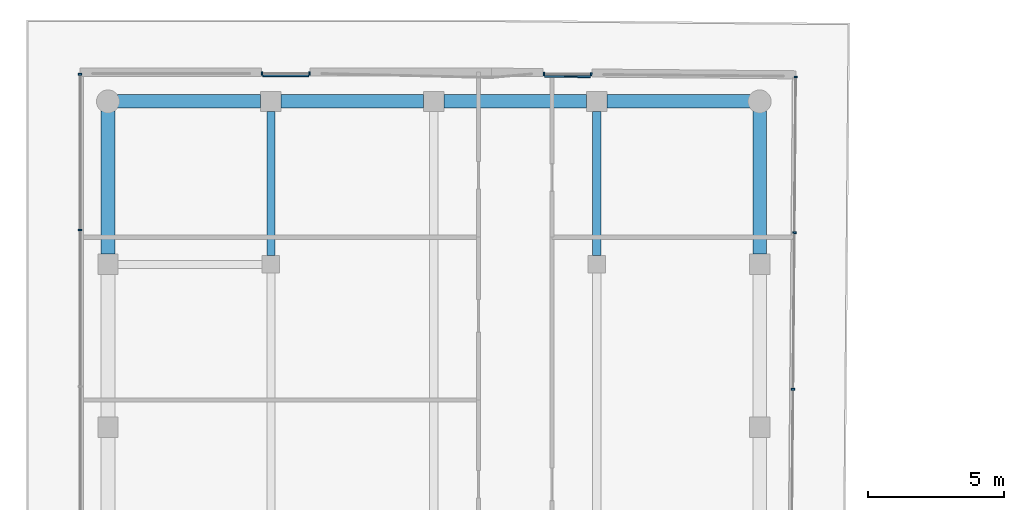
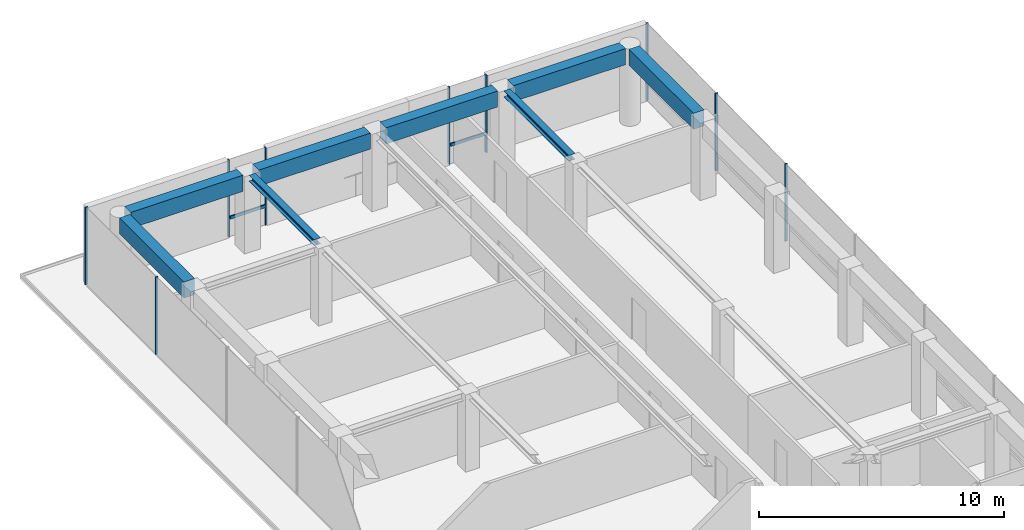
# One storey, part 12 of 18: 11 members, 8 beams, 4 elements without a shape of their own.
"""IFC4 building model written with IfcOpenShell, lengths in metres."""

from ifc_helpers import new_model, si_unit, direction, frame, origin, origin_2d, place, context, subcontext, project, spatial, rectangle, i_section, extrude, material, layer, layer_set, material_profile, profile_set, type_object, element, aggregate, save


model = new_model("IFC4")

# Units and contexts
model_context = context("Model", 3, precision=1e-05, world=origin(), true_north=direction((0.0, 1.0)))
body_context = subcontext(model_context, "Body", "Model", "MODEL_VIEW")
ifc_project = project(units=[si_unit("LENGTHUNIT", "METRE"), si_unit("AREAUNIT", "SQUARE_METRE"), si_unit("VOLUMEUNIT", "CUBIC_METRE"), si_unit("PLANEANGLEUNIT", "RADIAN"), si_unit("MASSUNIT", "GRAM", prefix="KILO")], contexts=[model_context])

# Site, building, storey
site_placement = place(None, origin())
site = spatial("IfcSite", under=ifc_project, at=site_placement, CompositionType="ELEMENT")
building_placement = place(site_placement, origin())
building = spatial("IfcBuilding", under=site, at=building_placement, Name="Welwitschia Terrace Campus", CompositionType="ELEMENT")
storey_placement = place(building_placement, frame((0.0, 0.0, 285.199951171875)))
storey = spatial("IfcBuildingStorey", under=building, at=storey_placement, Name="L63", CompositionType="ELEMENT", Elevation=285.199951171875)

# Beams
ifc_material_1 = material(Name="Steel S355", Category="steel")
ifc_material_profile_1 = material_profile(ifc_material_1, i_section(OverallWidth=0.300048828125, OverallDepth=0.300048828125, WebThickness=0.010986328125, FlangeThickness=0.01904296875, FilletRadius=0.027099609375, at=origin_2d()))
ifc_profile_set_1 = profile_set([ifc_material_profile_1], Name="Steel S355")
beam_type_1 = type_object("IfcBeamType", Name="Interior girder HE 300 B", PredefinedType="BEAM", material=ifc_profile_set_1)
for number, where, z_axis, x_axis, name in (
    (1, (6.0, 56.325439453125, 3.699951171875), (0.0, 1.0, 0.0), (-1.0, 0.0, 0.0), "Girder GB6"),
    (2, (18.0, 56.325439453125, 3.699951171875), (0.0, 1.0, 0.0), (-1.0, 0.0, 0.0), "Girder GB6"),
):
    element("IfcBeam", number, at=place(storey_placement, frame(where, z_axis=z_axis, x_axis=x_axis)), inside=storey, type_object=beam_type_1, Name=name, PredefinedType="BEAM", context=body_context, shape_type="SweptSolid", body=[
        extrude(i_section(OverallWidth=0.300048828125, OverallDepth=0.300048828125, WebThickness=0.010986328125, FlangeThickness=0.01904296875, FilletRadius=0.027099609375, at=origin_2d()), origin(), (0.0, 0.0, 1.0), 5.30908203125),
    ])

# Curtain wall, members
ifc_material_2 = material(Name="Bronze anodised aluminium", Category="aluminium")
ifc_layer = layer(ifc_material_2, 0.1201171875)
ifc_layer_set = layer_set([ifc_layer], Name="Bronze anodised aluminium")
curtain_wall_type = type_object("IfcCurtainWallType", Name="Curtain wall CW2 tower 6000", PredefinedType="NOTDEFINED", material=ifc_layer_set)
curtain_wall_1_placement = place(storey_placement, origin())
curtain_wall_1 = element("IfcCurtainWall", 3, at=curtain_wall_1_placement, inside=storey, type_object=curtain_wall_type, Name="CW L63.0.S0", PredefinedType="NOTDEFINED")
ifc_material_3 = material(Name="Bronze anodised aluminium", Category="aluminium")
ifc_material_profile_2 = material_profile(ifc_material_3, rectangle(XDim=0.1201171875, YDim=0.06005859375, at=origin_2d()))
ifc_profile_set_2 = profile_set([ifc_material_profile_2], Name="Bronze anodised aluminium")
member_type_1 = type_object("IfcMemberType", Name="Mullion 60x120", PredefinedType="MULLION", material=ifc_profile_set_2)
member_1_placement = place(storey_placement, frame((7.4169921875, 63.030029296875, 0.0), z_axis=(0.0, 0.0, 1.0), x_axis=(0.0, -1.0, 0.0)))
member_1 = element("IfcMember", 4, at=member_1_placement, type_object=member_type_1, Name="Mullion L63.0.S0.0", PredefinedType="MULLION", context=body_context, shape_type="SweptSolid", body=[
    extrude(rectangle(XDim=0.1201171875, YDim=0.06005859375, at=origin_2d()), origin(), (0.0, 0.0, 1.0), 3.85009765625),
])
member_2_placement = place(storey_placement, frame((5.677001953125, 63.030029296875, 0.0), z_axis=(0.0, 0.0, 1.0), x_axis=(0.0, -1.0, 0.0)))
member_2 = element("IfcMember", 5, at=member_2_placement, type_object=member_type_1, Name="Mullion L63.0.S0.1", PredefinedType="MULLION", context=body_context, shape_type="SweptSolid", body=[
    extrude(rectangle(XDim=0.1201171875, YDim=0.06005859375, at=origin_2d()), origin(), (0.0, 0.0, 1.0), 3.85009765625),
])

curtain_wall_2_placement = place(storey_placement, origin())
curtain_wall_2 = element("IfcCurtainWall", 6, at=curtain_wall_2_placement, inside=storey, type_object=curtain_wall_type, Name="CW L63.1.0", PredefinedType="NOTDEFINED")
member_3_placement = place(storey_placement, frame((-1.030029296875, 63.0, 0.0), z_axis=(0.0, 0.0, 1.0), x_axis=(1.0, 0.0, 0.0)))
member_3 = element("IfcMember", 7, at=member_3_placement, type_object=member_type_1, Name="Mullion L63.1.0.0", PredefinedType="MULLION", context=body_context, shape_type="SweptSolid", body=[
    extrude(rectangle(XDim=0.1201171875, YDim=0.06005859375, at=origin_2d()), origin(), (0.0, 0.0, 1.0), 3.85009765625),
])
member_4_placement = place(storey_placement, frame((-1.030029296875, 57.267333984375, 0.0), z_axis=(0.0, 0.0, 1.0), x_axis=(1.0, 0.0, 0.0)))
member_4 = element("IfcMember", 8, at=member_4_placement, type_object=member_type_1, Name="Mullion L63.1.0.1", PredefinedType="MULLION", context=body_context, shape_type="SweptSolid", body=[
    extrude(rectangle(XDim=0.1201171875, YDim=0.06005859375, at=origin_2d()), origin(), (0.0, 0.0, 1.0), 3.85009765625),
])
aggregate(curtain_wall_2, [member_3, member_4])

curtain_wall_3_placement = place(storey_placement, origin())
curtain_wall_3 = element("IfcCurtainWall", 9, at=curtain_wall_3_placement, inside=storey, type_object=curtain_wall_type, Name="CW L63.10.0", PredefinedType="NOTDEFINED")
member_5_placement = place(storey_placement, frame((25.231201171875, 51.4013671875, 0.0), z_axis=(0.0, 0.0, 1.0), x_axis=(-0.999961923064, 0.008726535498, 0.0)))
member_5 = element("IfcMember", 10, at=member_5_placement, type_object=member_type_1, Name="Mullion L63.10.0.4", PredefinedType="MULLION", context=body_context, shape_type="SweptSolid", body=[
    extrude(rectangle(XDim=0.1201171875, YDim=0.06005859375, at=origin_2d()), origin(), (0.0, 0.0, 1.0), 3.85009765625),
])
member_6_placement = place(storey_placement, frame((25.281494140625, 57.166748046875, 0.0), z_axis=(0.0, 0.0, 1.0), x_axis=(-0.999961923064, 0.008726535498, 0.0)))
member_6 = element("IfcMember", 11, at=member_6_placement, type_object=member_type_1, Name="Mullion L63.10.0.5", PredefinedType="MULLION", context=body_context, shape_type="SweptSolid", body=[
    extrude(rectangle(XDim=0.1201171875, YDim=0.06005859375, at=origin_2d()), origin(), (0.0, 0.0, 1.0), 3.85009765625),
])
member_7_placement = place(storey_placement, frame((25.33154296875, 62.902099609375, 0.0), z_axis=(0.0, 0.0, 1.0), x_axis=(-0.999961923064, 0.008726535498, 0.0)))
member_7 = element("IfcMember", 12, at=member_7_placement, type_object=member_type_1, Name="Mullion L63.10.0.6", PredefinedType="MULLION", context=body_context, shape_type="SweptSolid", body=[
    extrude(rectangle(XDim=0.1201171875, YDim=0.06005859375, at=origin_2d()), origin(), (0.0, 0.0, 1.0), 3.85009765625),
])
aggregate(curtain_wall_3, [member_5, member_6, member_7])

curtain_wall_4_placement = place(storey_placement, origin())
curtain_wall_4 = element("IfcCurtainWall", 13, at=curtain_wall_4_placement, inside=storey, type_object=curtain_wall_type, Name="CW L63.11.S0", PredefinedType="NOTDEFINED")
member_8_placement = place(storey_placement, frame((17.796142578125, 62.998046875, 0.0), z_axis=(0.0, 0.0, 1.0), x_axis=(-0.008726535498, -0.999961923064, 0.0)))
member_8 = element("IfcMember", 14, at=member_8_placement, type_object=member_type_1, Name="Mullion L63.11.S0.0", PredefinedType="MULLION", context=body_context, shape_type="SweptSolid", body=[
    extrude(rectangle(XDim=0.1201171875, YDim=0.06005859375, at=origin_2d()), origin(), (0.0, 0.0, 1.0), 3.85009765625),
])
member_9_placement = place(storey_placement, frame((16.05615234375, 63.01318359375, 0.0), z_axis=(0.0, 0.0, 1.0), x_axis=(-0.008726535498, -0.999961923064, 0.0)))
member_9 = element("IfcMember", 15, at=member_9_placement, type_object=member_type_1, Name="Mullion L63.11.S0.1", PredefinedType="MULLION", context=body_context, shape_type="SweptSolid", body=[
    extrude(rectangle(XDim=0.1201171875, YDim=0.06005859375, at=origin_2d()), origin(), (0.0, 0.0, 1.0), 3.85009765625),
])

# Beams
ifc_material_4 = material(Name="Concrete C50/60", Category="concrete")
ifc_material_profile_3 = material_profile(ifc_material_4, rectangle(XDim=0.5, YDim=0.800048828125, at=origin_2d()))
ifc_profile_set_3 = profile_set([ifc_material_profile_3], Name="Concrete C50/60")
beam_type_2 = type_object("IfcBeamType", Name="Ring spandrel 500x800", PredefinedType="SPANDREL", material=ifc_profile_set_3)
for number, where, z_axis, x_axis, name in (
    (16, (24.0, 56.37548828125, 3.449951171875), (0.0, 1.0, 0.0), (-1.0, 0.0, 0.0), "Spandrel SP4"),
    (17, (23.655517578125, 62.0, 3.449951171875), (-1.0, 0.0, 0.0), (0.0, -1.0, 0.0), "Spandrel SP4"),
):
    element("IfcBeam", number, at=place(storey_placement, frame(where, z_axis=z_axis, x_axis=x_axis)), inside=storey, type_object=beam_type_2, Name=name, PredefinedType="SPANDREL", context=body_context, shape_type="SweptSolid", body=[
        extrude(rectangle(XDim=0.5, YDim=0.800048828125, at=origin_2d()), origin(), (0.0, 0.0, 1.0), 5.280029296875),
    ])
for number, where, z_axis, x_axis, name in (
    (18, (17.62451171875, 62.0, 3.449951171875), (-1.0, 0.0, 0.0), (0.0, -1.0, 0.0), "Spandrel SP4"),
    (19, (11.62451171875, 62.0, 3.449951171875), (-1.0, 0.0, 0.0), (0.0, -1.0, 0.0), "Spandrel SP4"),
):
    element("IfcBeam", number, at=place(storey_placement, frame(where, z_axis=z_axis, x_axis=x_axis)), inside=storey, type_object=beam_type_2, Name=name, PredefinedType="SPANDREL", context=body_context, shape_type="SweptSolid", body=[
        extrude(rectangle(XDim=0.5, YDim=0.800048828125, at=origin_2d()), origin(), (0.0, 0.0, 1.0), 5.2490234375),
    ])
for number, where, z_axis, x_axis, name in (
    (20, (5.62451171875, 62.0, 3.449951171875), (-1.0, 0.0, 0.0), (0.0, -1.0, 0.0), "Spandrel SP4"),
    (21, (0.0, 61.655517578125, 3.449951171875), (0.0, -1.0, 0.0), (1.0, 0.0, 0.0), "Spandrel SP4"),
):
    element("IfcBeam", number, at=place(storey_placement, frame(where, z_axis=z_axis, x_axis=x_axis)), inside=storey, type_object=beam_type_2, Name=name, PredefinedType="SPANDREL", context=body_context, shape_type="SweptSolid", body=[
        extrude(rectangle(XDim=0.5, YDim=0.800048828125, at=origin_2d()), origin(), (0.0, 0.0, 1.0), 5.280029296875),
    ])

# Member
ifc_material_5 = material(Name="Bronze anodised aluminium", Category="aluminium")
ifc_material_profile_4 = material_profile(ifc_material_5, rectangle(XDim=0.06005859375, YDim=0.14990234375, at=origin_2d()))
ifc_profile_set_4 = profile_set([ifc_material_profile_4], Name="Bronze anodised aluminium")
member_type_2 = type_object("IfcMemberType", Name="Transom 60x150", PredefinedType="USERDEFINED", material=ifc_profile_set_4)
member_10_placement = place(storey_placement, frame((7.386962890625, 62.93994140625, 1.0), z_axis=(-1.0, 0.0, 0.0), x_axis=(0.0, -1.0, 0.0)))
member_10 = element("IfcMember", 22, at=member_10_placement, type_object=member_type_2, Name="Transom L63.0.S0", ObjectType="TRANSOM", PredefinedType="USERDEFINED", context=body_context, shape_type="SweptSolid", body=[
    extrude(rectangle(XDim=0.06005859375, YDim=0.14990234375, at=origin_2d()), origin(), (0.0, 0.0, 1.0), 1.679931640625),
])

aggregate(curtain_wall_1, [member_1, member_2, member_10])

member_11_placement = place(storey_placement, frame((17.765380859375, 62.908203125, 1.0), z_axis=(-0.999961985908, 0.00871933137, 0.0), x_axis=(-0.00871933137, -0.999961985908, 0.0)))
member_11 = element("IfcMember", 23, at=member_11_placement, type_object=member_type_2, Name="Transom L63.11.S0", ObjectType="TRANSOM", PredefinedType="USERDEFINED", context=body_context, shape_type="SweptSolid", body=[
    extrude(rectangle(XDim=0.06005859375, YDim=0.14990234375, at=origin_2d()), origin(), (0.0, 0.0, 1.0), 1.679931640625),
])

aggregate(curtain_wall_4, [member_8, member_9, member_11])

save(model, "model.ifc")
